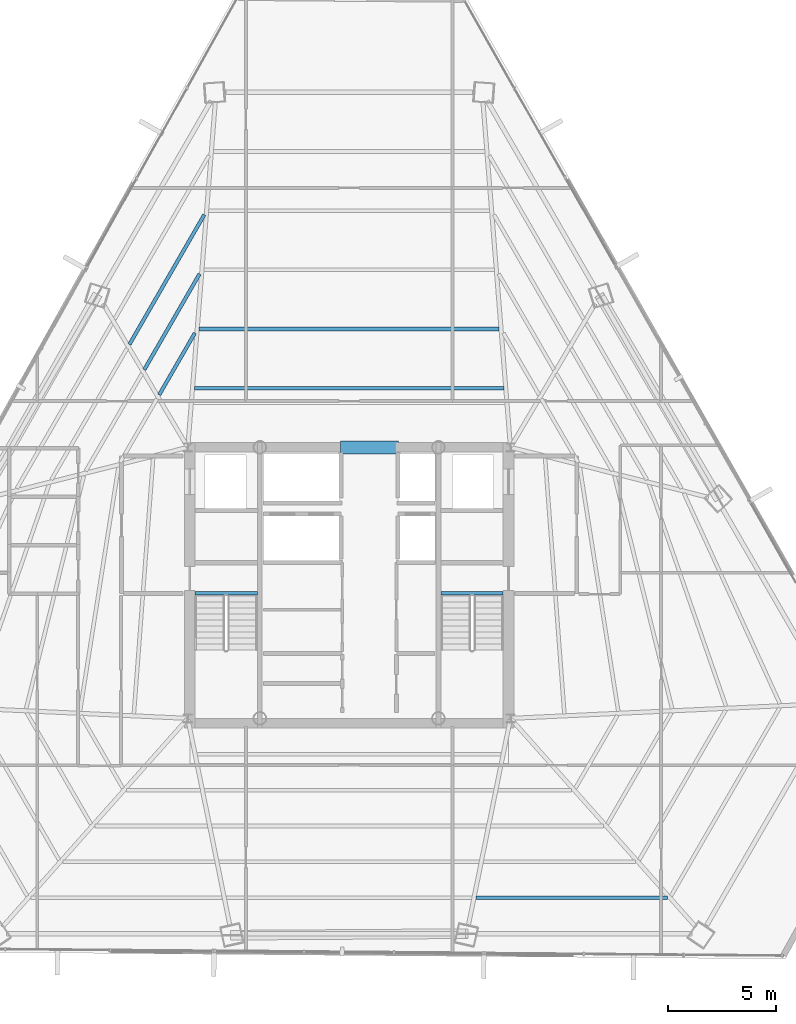
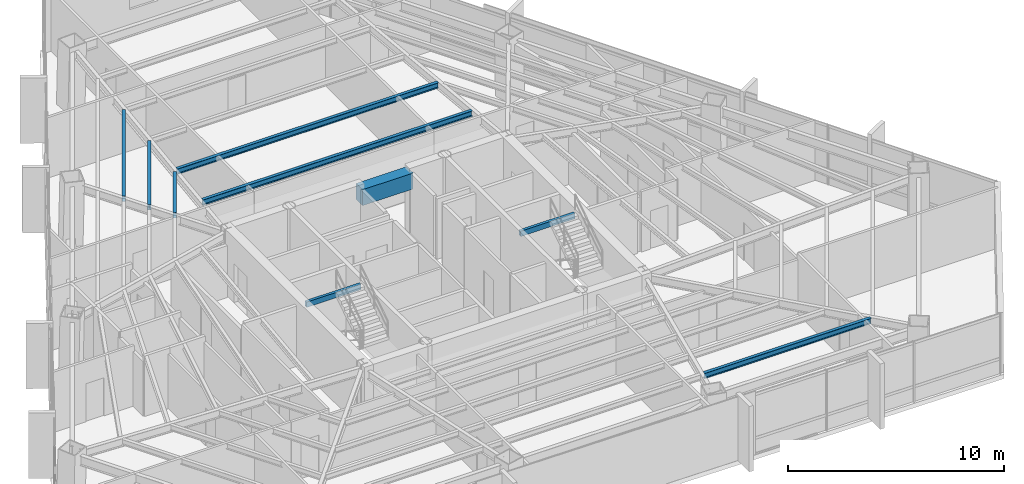
# One storey, part 16 of 38: 9 beams.
"""IFC4 building model written with IfcOpenShell, lengths in metres."""

from ifc_helpers import new_model, si_unit, direction, frame, origin, origin_2d, place, context, subcontext, project, spatial, rectangle, hollow_rectangle, i_section, extrude, source, transform, mapped, material, material_profile, profile_set, type_object, type_shapes, element, save


model = new_model("IFC4")

# Units and contexts
model_context = context("Model", 3, precision=1e-05, world=origin(), true_north=direction((0.0, 1.0)))
body_context = subcontext(model_context, "Body", "Model", "MODEL_VIEW")
ifc_project = project(units=[si_unit("LENGTHUNIT", "METRE"), si_unit("AREAUNIT", "SQUARE_METRE"), si_unit("VOLUMEUNIT", "CUBIC_METRE"), si_unit("PLANEANGLEUNIT", "RADIAN"), si_unit("MASSUNIT", "GRAM", prefix="KILO")], contexts=[model_context])

# Site, building, storey
site_placement = place(None, origin())
site = spatial("IfcSite", under=ifc_project, at=site_placement, CompositionType="ELEMENT")
building_placement = place(site_placement, origin())
building = spatial("IfcBuilding", under=site, at=building_placement, Name="Caelisora Broadcast Tower", CompositionType="ELEMENT")
storey_placement = place(building_placement, frame((0.0, 0.0, 154.85009765625)))
storey = spatial("IfcBuildingStorey", under=building, at=storey_placement, Name="L40", CompositionType="ELEMENT", Elevation=154.85009765625)

# Beams
ifc_material_1 = material(Name="Steel Grade 350 (AS/NZS 1163 C350L0)", Category="steel")
ifc_material_profile_1 = material_profile(ifc_material_1, hollow_rectangle(XDim=0.14990234375, YDim=0.300048828125, WallThickness=0.010009765625, at=origin_2d()), Name="Steel Grade 350 (AS/NZS 1163 C350L0)")
ifc_profile_set_1 = profile_set([ifc_material_profile_1], Name="Steel Grade 350 (AS/NZS 1163 C350L0)")
beam_type_1 = type_object("IfcBeamType", Name="SB05", PredefinedType="JOIST", material=ifc_profile_set_1)
shared_shape_1 = source(origin(), body_context, "Body", "SweptSolid", [
    extrude(hollow_rectangle(XDim=0.14990234375, YDim=0.300048828125, WallThickness=0.010009765625, at=origin_2d()), origin(), (0.0, 0.0, 1.0), 2.89990234375),
])
type_shapes(beam_type_1, [shared_shape_1])
for number, where, z_axis, x_axis, name in (
    (1, (30.840087890625, 23.219970703125, 3.25), (1.0, 0.0, 0.0), (0.0, 1.0, 0.0), "L40 beam SB05"),
    (2, (42.260009765625, 23.219970703125, 3.25), (1.0, 0.0, 0.0), (0.0, 1.0, 0.0), "L40 beam SB05"),
):
    element("IfcBeam", number, at=place(storey_placement, frame(where, z_axis=z_axis, x_axis=x_axis)), inside=storey, type_object=beam_type_1, Name=name, PredefinedType="JOIST", context=body_context, shape_type="MappedRepresentation", body=[
        mapped(shared_shape_1, transform((0.0, 0.0, 0.0), scale=1.0)),
    ])
ifc_material_2 = material(Name="Concrete 50 MPa (AS 3600 S50)", Category="concrete")
ifc_material_profile_2 = material_profile(ifc_material_2, rectangle(XDim=0.60009765625, YDim=0.89990234375, at=origin_2d()), Name="Concrete 50 MPa (AS 3600 S50)")
ifc_profile_set_2 = profile_set([ifc_material_profile_2], Name="Concrete 50 MPa (AS 3600 S50)")
beam_type_2 = type_object("IfcBeamType", Name="CB02", PredefinedType="LINTEL", material=ifc_profile_set_2)
shared_shape_2 = source(origin(), body_context, "Body", "SweptSolid", [
    extrude(rectangle(XDim=0.60009765625, YDim=0.89990234375, at=origin_2d()), origin(), (0.0, 0.0, 1.0), 2.699951171875),
])
type_shapes(beam_type_2, [shared_shape_2])
beam_1_placement = place(storey_placement, frame((37.60009765625, 30.0, 2.949951171875), z_axis=(1.0, 0.0, 0.0), x_axis=(0.0, 1.0, 0.0)))
element("IfcBeam", 3, at=beam_1_placement, inside=storey, type_object=beam_type_2, Name="L40 beam CB02", PredefinedType="LINTEL", context=body_context, shape_type="MappedRepresentation", body=[
    mapped(shared_shape_2, transform((0.0, 0.0, 0.0), scale=1.0)),
])
ifc_material_3 = material(Name="Steel Grade 350 (AS/NZS 3679.1)", Category="steel")
ifc_material_profile_3 = material_profile(ifc_material_3, i_section(OverallWidth=0.166015625, OverallDepth=0.30712890625, WebThickness=0.006591796875, FlangeThickness=0.01171875, at=origin_2d()), Name="Steel Grade 350 (AS/NZS 3679.1)")
ifc_profile_set_3 = profile_set([ifc_material_profile_3], Name="Steel Grade 350 (AS/NZS 3679.1)")
beam_type_3 = type_object("IfcBeamType", Name="SB03", PredefinedType="JOIST", material=ifc_profile_set_3)
shared_shape_3 = source(origin(), body_context, "Body", "SweptSolid", [
    extrude(i_section(OverallWidth=0.166015625, OverallDepth=0.30712890625, WebThickness=0.006591796875, FlangeThickness=0.01171875, at=origin_2d()), origin(), (0.0, 0.0, 1.0), 14.3759765625),
])
beam_2_placement = place(storey_placement, frame((45.18798828125, 32.75048828125, 3.246337890625), z_axis=(-1.0, 0.0, 0.0), x_axis=(0.0, -1.0, 0.0)))
element("IfcBeam", 4, at=beam_2_placement, inside=storey, type_object=beam_type_3, Name="L40 beam SB03", PredefinedType="JOIST", context=body_context, shape_type="MappedRepresentation", body=[
    mapped(shared_shape_3, transform((0.0, 0.0, 0.0), scale=1.0)),
])
shared_shape_4 = source(origin(), body_context, "Body", "SweptSolid", [
    extrude(i_section(OverallWidth=0.166015625, OverallDepth=0.30712890625, WebThickness=0.006591796875, FlangeThickness=0.01171875, at=origin_2d()), origin(), (0.0, 0.0, 1.0), 13.9375),
])
beam_3_placement = place(storey_placement, frame((44.96875, 35.500732421875, 3.246337890625), z_axis=(-1.0, 0.0, 0.0), x_axis=(0.0, -1.0, 0.0)))
element("IfcBeam", 5, at=beam_3_placement, inside=storey, type_object=beam_type_3, Name="L40 beam SB03", PredefinedType="JOIST", context=body_context, shape_type="MappedRepresentation", body=[
    mapped(shared_shape_4, transform((0.0, 0.0, 0.0), scale=1.0)),
])
shared_shape_5 = source(origin(), body_context, "Body", "SweptSolid", [
    extrude(i_section(OverallWidth=0.166015625, OverallDepth=0.30712890625, WebThickness=0.006591796875, FlangeThickness=0.01171875, at=origin_2d()), origin(), (0.0, 0.0, 1.0), 3.3173828125),
])
beam_4_placement = place(storey_placement, frame((30.828857421875, 35.310791015625, 3.246337890625), z_axis=(-0.500017629075, -0.866015225394, 0.0), x_axis=(0.866015225394, -0.500017629075, 0.0)))
element("IfcBeam", 6, at=beam_4_placement, inside=storey, type_object=beam_type_3, Name="L40 beam SB03", PredefinedType="JOIST", context=body_context, shape_type="MappedRepresentation", body=[
    mapped(shared_shape_5, transform((0.0, 0.0, 0.0), scale=1.0)),
])
shared_shape_6 = source(origin(), body_context, "Body", "SweptSolid", [
    extrude(i_section(OverallWidth=0.166015625, OverallDepth=0.30712890625, WebThickness=0.006591796875, FlangeThickness=0.01171875, at=origin_2d()), origin(), (0.0, 0.0, 1.0), 5.13916015625),
])
beam_5_placement = place(storey_placement, frame((31.048095703125, 38.061279296875, 3.246337890625), z_axis=(-0.499996600708, -0.866027366358, 0.0), x_axis=(0.866027366358, -0.499996600708, 0.0)))
element("IfcBeam", 7, at=beam_5_placement, inside=storey, type_object=beam_type_3, Name="L40 beam SB03", PredefinedType="JOIST", context=body_context, shape_type="MappedRepresentation", body=[
    mapped(shared_shape_6, transform((0.0, 0.0, 0.0), scale=1.0)),
])
shared_shape_7 = source(origin(), body_context, "Body", "SweptSolid", [
    extrude(i_section(OverallWidth=0.166015625, OverallDepth=0.30712890625, WebThickness=0.006591796875, FlangeThickness=0.01171875, at=origin_2d()), origin(), (0.0, 0.0, 1.0), 6.9609375),
])
beam_6_placement = place(storey_placement, frame((31.267333984375, 40.811767578125, 3.246337890625), z_axis=(-0.50000176645, -0.866024383922, 0.0), x_axis=(0.866024383922, -0.50000176645, 0.0)))
element("IfcBeam", 8, at=beam_6_placement, inside=storey, type_object=beam_type_3, Name="L40 beam SB03", PredefinedType="JOIST", context=body_context, shape_type="MappedRepresentation", body=[
    mapped(shared_shape_7, transform((0.0, 0.0, 0.0), scale=1.0)),
])
shared_shape_8 = source(origin(), body_context, "Body", "SweptSolid", [
    extrude(i_section(OverallWidth=0.166015625, OverallDepth=0.30712890625, WebThickness=0.006591796875, FlangeThickness=0.01171875, at=origin_2d()), origin(), (0.0, 0.0, 1.0), 8.889404296875),
])
type_shapes(beam_type_3, [shared_shape_3, shared_shape_4, shared_shape_5, shared_shape_6, shared_shape_7, shared_shape_8])
beam_7_placement = place(storey_placement, frame((43.898681640625, 9.060791015625, 3.246337890625), z_axis=(1.0, 0.0, 0.0), x_axis=(0.0, 1.0, 0.0)))
element("IfcBeam", 9, at=beam_7_placement, inside=storey, type_object=beam_type_3, Name="L40 beam SB03", PredefinedType="JOIST", context=body_context, shape_type="MappedRepresentation", body=[
    mapped(shared_shape_8, transform((0.0, 0.0, 0.0), scale=1.0)),
])

save(model, "model.ifc")
